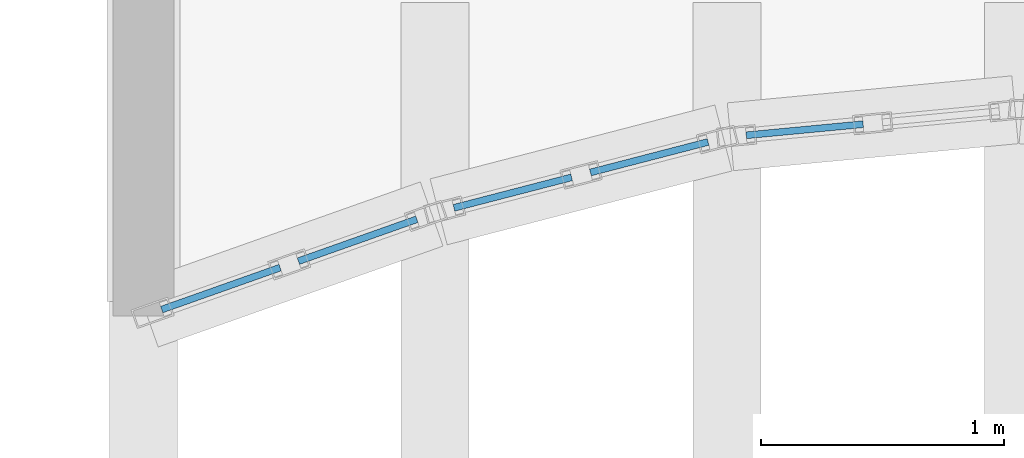
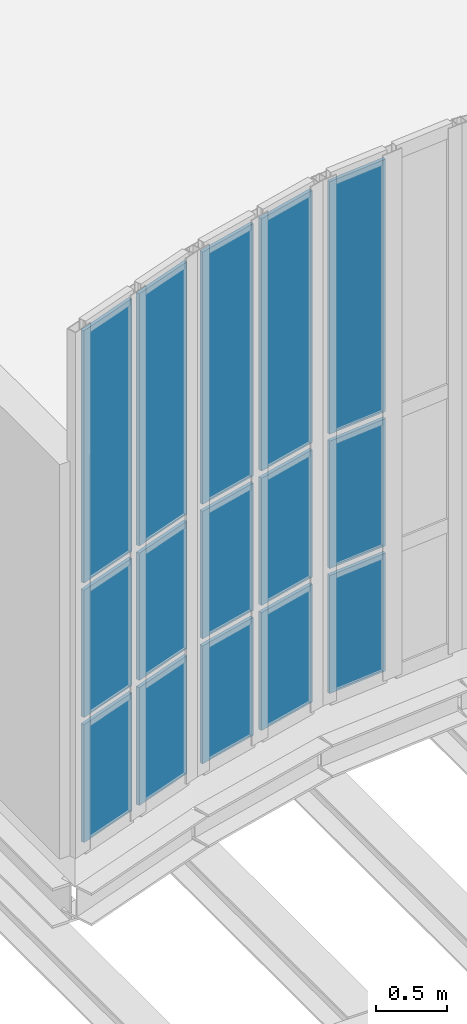
# One storey, part 66 of 105: 15 plates, 3 elements without a shape of their own.
"""IFC4 building model written with IfcOpenShell, lengths in metres."""

from ifc_helpers import new_model, si_unit, direction, frame, origin, origin_2d, place, context, subcontext, project, spatial, rectangle, extrude, material, layer, layer_set, type_object, element, aggregate, save


model = new_model("IFC4")

# Units and contexts
model_context = context("Model", 3, precision=1e-05, world=origin(), true_north=direction((0.0, 1.0)))
body_context = subcontext(model_context, "Body", "Model", "MODEL_VIEW")
ifc_project = project(units=[si_unit("LENGTHUNIT", "METRE"), si_unit("AREAUNIT", "SQUARE_METRE"), si_unit("VOLUMEUNIT", "CUBIC_METRE"), si_unit("PLANEANGLEUNIT", "RADIAN"), si_unit("MASSUNIT", "GRAM", prefix="KILO"), si_unit("THERMODYNAMICTEMPERATUREUNIT", "KELVIN"), si_unit("POWERUNIT", "WATT")], contexts=[model_context])

# Site, building, storey
site_placement = place(None, origin())
site = spatial("IfcSite", under=ifc_project, at=site_placement, CompositionType="ELEMENT")
building_placement = place(site_placement, origin())
building = spatial("IfcBuilding", under=site, at=building_placement, Name="Kaldorven Railside Theatre", CompositionType="ELEMENT")
storey_placement = place(building_placement, frame((0.0, 0.0, 9.89990234375)))
storey = spatial("IfcBuildingStorey", under=building, at=storey_placement, Name="L02", CompositionType="ELEMENT", Elevation=9.89990234375)

# Curtain wall, plates
ifc_material = material(Name="Low-E laminated solar-control glass", Category="glass")
ifc_layer_1 = layer(ifc_material, 0.159912109375, Name="Low-E laminated solar-control glass")
ifc_layer_set_1 = layer_set([ifc_layer_1], Name="Low-E laminated solar-control glass")
curtain_wall_type_1 = type_object("IfcCurtainWallType", Name="CWT-01", PredefinedType="USERDEFINED", material=ifc_layer_set_1)
curtain_wall_1_placement = place(storey_placement, origin())
curtain_wall_1 = element("IfcCurtainWall", 1, at=curtain_wall_1_placement, inside=storey, type_object=curtain_wall_type_1, Name="Sinusoidal Fluted Curtain Wall CW-L02-S01", ObjectType="FLUTED GLAZING", PredefinedType="USERDEFINED")
ifc_layer_2 = layer(ifc_material, 0.028076171875, Name="Low-E laminated solar-control glass")
ifc_layer_set_2 = layer_set([ifc_layer_2], Name="Low-E laminated solar-control glass")
plate_type = type_object("IfcPlateType", Name="CWP-GLZ28", PredefinedType="CURTAIN_PANEL", material=ifc_layer_set_2)
plate_1_placement = place(storey_placement, frame((37.118896484375, 17.363037109375, 0.06005859375), z_axis=(0.0, 0.0, 1.0), x_axis=(0.942627225159, 0.33384714225, 0.0)))
plate_1 = element("IfcPlate", 2, at=plate_1_placement, type_object=plate_type, Name="CW-L02-S01 panel 1.1", PredefinedType="CURTAIN_PANEL", context=body_context, shape_type="SweptSolid", body=[
    extrude(rectangle(XDim=0.5166015625, YDim=0.028076171875, at=origin_2d()), origin(), (0.0, 0.0, 1.0), 1.010009765625),
])
plate_2_placement = place(storey_placement, frame((37.118896484375, 17.363037109375, 1.1298828125), z_axis=(0.0, 0.0, 1.0), x_axis=(0.942627225159, 0.33384714225, 0.0)))
plate_2 = element("IfcPlate", 3, at=plate_2_placement, type_object=plate_type, Name="CW-L02-S01 panel 1.2", PredefinedType="CURTAIN_PANEL", context=body_context, shape_type="SweptSolid", body=[
    extrude(rectangle(XDim=0.5166015625, YDim=0.028076171875, at=origin_2d()), origin(), (0.0, 0.0, 1.0), 1.090087890625),
])
plate_3_placement = place(storey_placement, frame((37.118896484375, 17.363037109375, 2.2802734375), z_axis=(0.0, 0.0, 1.0), x_axis=(0.942627225159, 0.33384714225, 0.0)))
plate_3 = element("IfcPlate", 4, at=plate_3_placement, type_object=plate_type, Name="CW-L02-S01 panel 1.3", PredefinedType="CURTAIN_PANEL", context=body_context, shape_type="SweptSolid", body=[
    extrude(rectangle(XDim=0.5166015625, YDim=0.028076171875, at=origin_2d()), origin(), (0.0, 0.0, 1.0), 2.159912109375),
])
plate_4_placement = place(storey_placement, frame((37.68115234375, 17.56201171875, 0.06005859375), z_axis=(0.0, 0.0, 1.0), x_axis=(0.942627225159, 0.33384714225, 0.0)))
plate_4 = element("IfcPlate", 5, at=plate_4_placement, type_object=plate_type, Name="CW-L02-S01 panel 2.1", PredefinedType="CURTAIN_PANEL", context=body_context, shape_type="SweptSolid", body=[
    extrude(rectangle(XDim=0.5166015625, YDim=0.028076171875, at=origin_2d()), origin(), (0.0, 0.0, 1.0), 1.010009765625),
])
plate_5_placement = place(storey_placement, frame((37.68115234375, 17.56201171875, 1.1298828125), z_axis=(0.0, 0.0, 1.0), x_axis=(0.942627225159, 0.33384714225, 0.0)))
plate_5 = element("IfcPlate", 6, at=plate_5_placement, type_object=plate_type, Name="CW-L02-S01 panel 2.2", PredefinedType="CURTAIN_PANEL", context=body_context, shape_type="SweptSolid", body=[
    extrude(rectangle(XDim=0.5166015625, YDim=0.028076171875, at=origin_2d()), origin(), (0.0, 0.0, 1.0), 1.090087890625),
])
plate_6_placement = place(storey_placement, frame((37.68115234375, 17.56201171875, 2.2802734375), z_axis=(0.0, 0.0, 1.0), x_axis=(0.942627225159, 0.33384714225, 0.0)))
plate_6 = element("IfcPlate", 7, at=plate_6_placement, type_object=plate_type, Name="CW-L02-S01 panel 2.3", PredefinedType="CURTAIN_PANEL", context=body_context, shape_type="SweptSolid", body=[
    extrude(rectangle(XDim=0.5166015625, YDim=0.028076171875, at=origin_2d()), origin(), (0.0, 0.0, 1.0), 2.159912109375),
])
aggregate(curtain_wall_1, [plate_1, plate_2, plate_3, plate_4, plate_5, plate_6])

ifc_layer_3 = layer(ifc_material, 0.159912109375, Name="Low-E laminated solar-control glass")
ifc_layer_set_3 = layer_set([ifc_layer_3], Name="Low-E laminated solar-control glass")
curtain_wall_type_2 = type_object("IfcCurtainWallType", Name="CWT-02", PredefinedType="USERDEFINED", material=ifc_layer_set_3)
curtain_wall_2_placement = place(storey_placement, origin())
curtain_wall_2 = element("IfcCurtainWall", 8, at=curtain_wall_2_placement, inside=storey, type_object=curtain_wall_type_2, Name="Sinusoidal Fluted Curtain Wall CW-L02-S02", ObjectType="FLUTED GLAZING", PredefinedType="USERDEFINED")
plate_7_placement = place(storey_placement, frame((38.3193359375, 17.7578125, 0.06005859375), z_axis=(0.0, 0.0, 1.0), x_axis=(0.967999075505, 0.250953760326, 0.0)))
plate_7 = element("IfcPlate", 9, at=plate_7_placement, type_object=plate_type, Name="CW-L02-S02 panel 1.1", PredefinedType="CURTAIN_PANEL", context=body_context, shape_type="SweptSolid", body=[
    extrude(rectangle(XDim=0.499755859375, YDim=0.028076171875, at=origin_2d()), origin(), (0.0, 0.0, 1.0), 1.010009765625),
])
plate_8_placement = place(storey_placement, frame((38.3193359375, 17.7578125, 1.1298828125), z_axis=(0.0, 0.0, 1.0), x_axis=(0.967999075505, 0.250953760326, 0.0)))
plate_8 = element("IfcPlate", 10, at=plate_8_placement, type_object=plate_type, Name="CW-L02-S02 panel 1.2", PredefinedType="CURTAIN_PANEL", context=body_context, shape_type="SweptSolid", body=[
    extrude(rectangle(XDim=0.499755859375, YDim=0.028076171875, at=origin_2d()), origin(), (0.0, 0.0, 1.0), 1.090087890625),
])
plate_9_placement = place(storey_placement, frame((38.3193359375, 17.7578125, 2.2802734375), z_axis=(0.0, 0.0, 1.0), x_axis=(0.967999075505, 0.250953760326, 0.0)))
plate_9 = element("IfcPlate", 11, at=plate_9_placement, type_object=plate_type, Name="CW-L02-S02 panel 1.3", PredefinedType="CURTAIN_PANEL", context=body_context, shape_type="SweptSolid", body=[
    extrude(rectangle(XDim=0.499755859375, YDim=0.028076171875, at=origin_2d()), origin(), (0.0, 0.0, 1.0), 2.159912109375),
])
plate_10_placement = place(storey_placement, frame((38.880615234375, 17.9033203125, 0.06005859375), z_axis=(0.0, 0.0, 1.0), x_axis=(0.967999075505, 0.250953760326, 0.0)))
plate_10 = element("IfcPlate", 12, at=plate_10_placement, type_object=plate_type, Name="CW-L02-S02 panel 2.1", PredefinedType="CURTAIN_PANEL", context=body_context, shape_type="SweptSolid", body=[
    extrude(rectangle(XDim=0.499755859375, YDim=0.028076171875, at=origin_2d()), origin(), (0.0, 0.0, 1.0), 1.010009765625),
])
plate_11_placement = place(storey_placement, frame((38.880615234375, 17.9033203125, 1.1298828125), z_axis=(0.0, 0.0, 1.0), x_axis=(0.967999075505, 0.250953760326, 0.0)))
plate_11 = element("IfcPlate", 13, at=plate_11_placement, type_object=plate_type, Name="CW-L02-S02 panel 2.2", PredefinedType="CURTAIN_PANEL", context=body_context, shape_type="SweptSolid", body=[
    extrude(rectangle(XDim=0.499755859375, YDim=0.028076171875, at=origin_2d()), origin(), (0.0, 0.0, 1.0), 1.090087890625),
])
plate_12_placement = place(storey_placement, frame((38.880615234375, 17.9033203125, 2.2802734375), z_axis=(0.0, 0.0, 1.0), x_axis=(0.967999075505, 0.250953760326, 0.0)))
plate_12 = element("IfcPlate", 14, at=plate_12_placement, type_object=plate_type, Name="CW-L02-S02 panel 2.3", PredefinedType="CURTAIN_PANEL", context=body_context, shape_type="SweptSolid", body=[
    extrude(rectangle(XDim=0.499755859375, YDim=0.028076171875, at=origin_2d()), origin(), (0.0, 0.0, 1.0), 2.159912109375),
])
aggregate(curtain_wall_2, [plate_7, plate_8, plate_9, plate_10, plate_11, plate_12])

ifc_layer_4 = layer(ifc_material, 0.159912109375, Name="Low-E laminated solar-control glass")
ifc_layer_set_4 = layer_set([ifc_layer_4], Name="Low-E laminated solar-control glass")
curtain_wall_type_3 = type_object("IfcCurtainWallType", Name="CWT-03", PredefinedType="USERDEFINED", material=ifc_layer_set_4)
curtain_wall_3_placement = place(storey_placement, origin())
curtain_wall_3 = element("IfcCurtainWall", 15, at=curtain_wall_3_placement, inside=storey, type_object=curtain_wall_type_3, Name="Sinusoidal Fluted Curtain Wall CW-L02-S03", ObjectType="FLUTED GLAZING", PredefinedType="USERDEFINED")
plate_13_placement = place(storey_placement, frame((39.52001953125, 18.016357421875, 0.06005859375), z_axis=(0.0, 0.0, 1.0), x_axis=(0.995525623425, 0.094491973758, 0.0)))
plate_13 = element("IfcPlate", 16, at=plate_13_placement, type_object=plate_type, Name="CW-L02-S03 panel 1.1", PredefinedType="CURTAIN_PANEL", context=body_context, shape_type="SweptSolid", body=[
    extrude(rectangle(XDim=0.482666015625, YDim=0.028076171875, at=origin_2d()), origin(), (0.0, 0.0, 1.0), 1.010009765625),
])
plate_14_placement = place(storey_placement, frame((39.52001953125, 18.016357421875, 1.1298828125), z_axis=(0.0, 0.0, 1.0), x_axis=(0.995525623425, 0.094491973758, 0.0)))
plate_14 = element("IfcPlate", 17, at=plate_14_placement, type_object=plate_type, Name="CW-L02-S03 panel 1.2", PredefinedType="CURTAIN_PANEL", context=body_context, shape_type="SweptSolid", body=[
    extrude(rectangle(XDim=0.482666015625, YDim=0.028076171875, at=origin_2d()), origin(), (0.0, 0.0, 1.0), 1.090087890625),
])
plate_15_placement = place(storey_placement, frame((39.52001953125, 18.016357421875, 2.2802734375), z_axis=(0.0, 0.0, 1.0), x_axis=(0.995525623425, 0.094491973758, 0.0)))
plate_15 = element("IfcPlate", 18, at=plate_15_placement, type_object=plate_type, Name="CW-L02-S03 panel 1.3", PredefinedType="CURTAIN_PANEL", context=body_context, shape_type="SweptSolid", body=[
    extrude(rectangle(XDim=0.482666015625, YDim=0.028076171875, at=origin_2d()), origin(), (0.0, 0.0, 1.0), 2.159912109375),
])
aggregate(curtain_wall_3, [plate_13, plate_14, plate_15])

save(model, "model.ifc")
